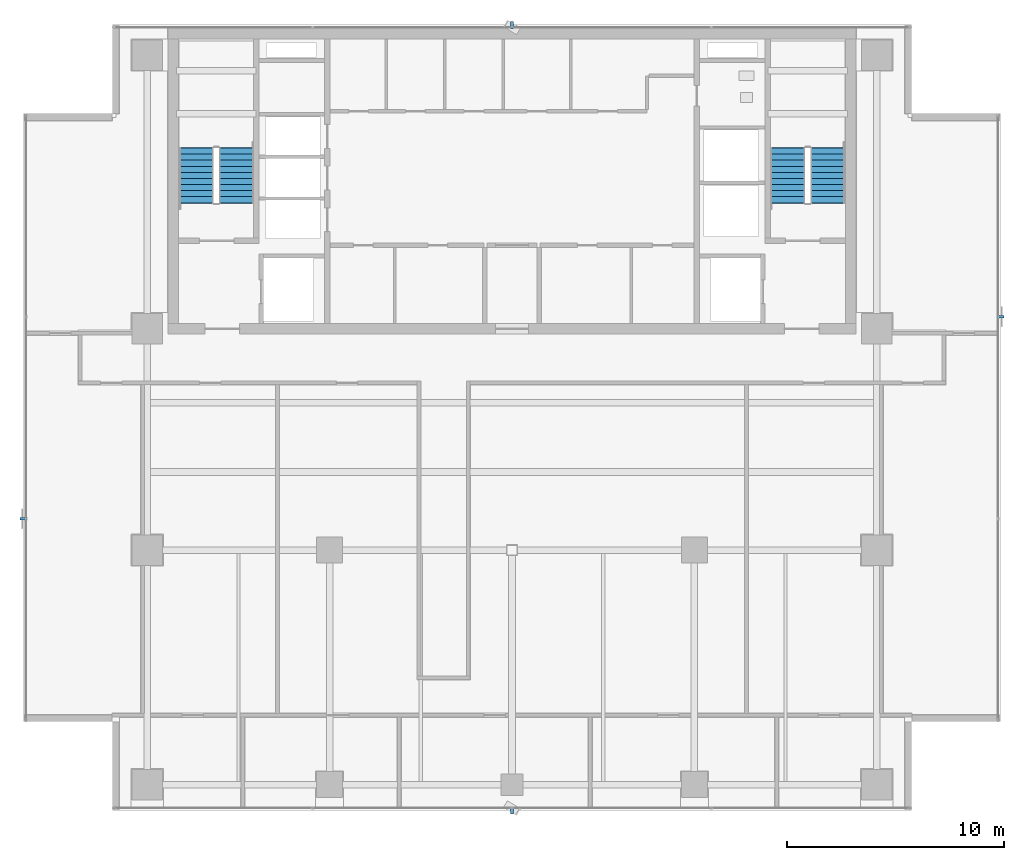
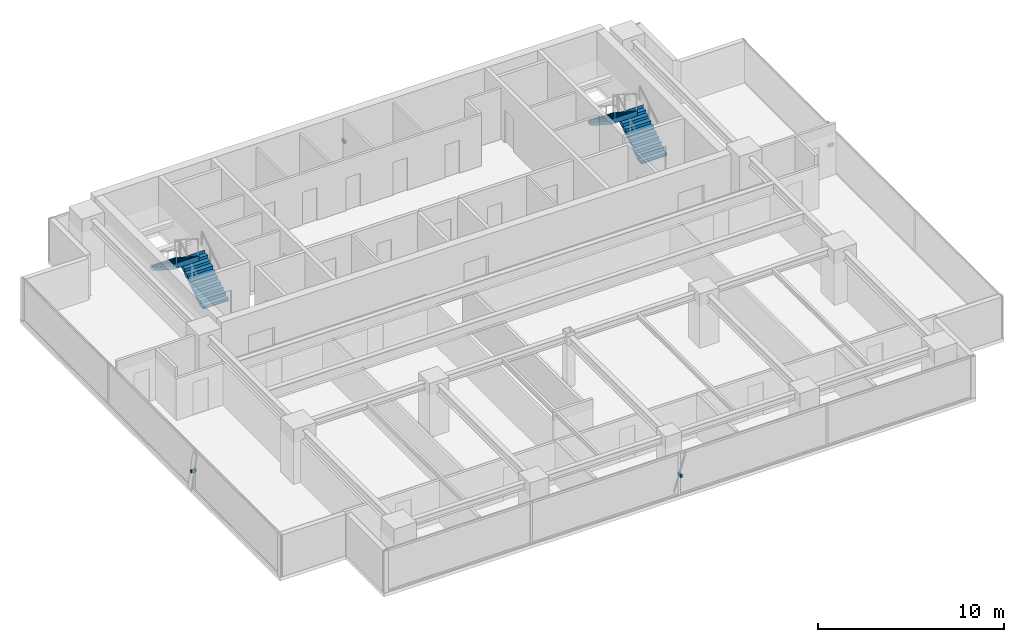
# One storey, part 22 of 26: 4 discrete accessories, 4 stair flights, 2 elements without a shape of their own.
"""IFC4 building model written with IfcOpenShell, lengths in metres."""

from ifc_helpers import new_model, si_unit, direction, frame, origin, origin_2d, place, context, subcontext, project, spatial, polyline, rectangle, outline, extrude, source, transform, mapped, material, material_profile, profile_set, type_object, element, aggregate, save


model = new_model("IFC4")

# Units and contexts
model_context = context("Model", 3, precision=1e-05, world=origin(), true_north=direction((0.0, 1.0)))
body_context = subcontext(model_context, "Body", "Model", "MODEL_VIEW")
ifc_project = project(units=[si_unit("LENGTHUNIT", "METRE"), si_unit("AREAUNIT", "SQUARE_METRE"), si_unit("VOLUMEUNIT", "CUBIC_METRE"), si_unit("PLANEANGLEUNIT", "RADIAN"), si_unit("MASSUNIT", "GRAM", prefix="KILO")], contexts=[model_context])

# Site, building, storey
site_placement = place(None, origin())
site = spatial("IfcSite", under=ifc_project, at=site_placement, CompositionType="ELEMENT")
building_placement = place(site_placement, origin())
building = spatial("IfcBuilding", under=site, at=building_placement, Name="Sumidabori Civic Tower", CompositionType="ELEMENT")
storey_placement = place(building_placement, frame((0.0, 0.0, 261.199951171875)))
storey = spatial("IfcBuildingStorey", under=building, at=storey_placement, Name="L68", CompositionType="ELEMENT", Elevation=261.199951171875)

# Stair, stair flights
ifc_material_1 = material(Name="Concrete C40/50", Category="concrete")
stair_type = type_object("IfcStairType", Name="ST-CORE-1600", PredefinedType="HALF_TURN_STAIR", material=ifc_material_1)
stair_1_placement = place(storey_placement, origin())
stair_1 = element("IfcStair", 1, at=stair_1_placement, inside=storey, type_object=stair_type, Name="L68 ST-1", PredefinedType="HALF_TURN_STAIR")
stair_flight_type = type_object("IfcStairFlightType", Name="SF-CORE-1600", PredefinedType="STRAIGHT", material=ifc_material_1)
shared_shape_1 = source(origin(), body_context, "Body", "SweptSolid", [
    extrude(outline(polyline([(-0.02490234375, 0.0), (-0.02490234375, 0.0400390625), (0.0, 0.0400390625), (0.0, 0.179931640625), (0.280029296875, 0.179931640625), (0.280029296875, 0.360107421875), (0.56005859375, 0.360107421875), (0.56005859375, 0.5400390625), (0.840087890625, 0.5400390625), (0.840087890625, 0.719970703125), (1.1201171875, 0.719970703125), (1.1201171875, 0.89990234375), (1.39990234375, 0.89990234375), (1.39990234375, 1.080078125), (1.679931640625, 1.080078125), (1.679931640625, 1.260009765625), (1.9599609375, 1.260009765625), (1.9599609375, 1.43994140625), (2.239990234375, 1.43994140625), (2.239990234375, 1.6201171875), (2.52001953125, 1.6201171875), (2.52001953125, 1.800048828125), (2.544921875, 1.800048828125), (2.544921875, 1.650146484375), (2.52001953125, 1.44189453125), (0.277099609375, 0.0), (-0.02490234375, 0.0)])), frame((0.0, 0.800048828125, 0.0), z_axis=(0.0, -1.0, 0.0), x_axis=(1.0, 0.0, 0.0)), (0.0, 0.0, 1.0), 1.60009765625),
])
stair_flight_1_placement = place(storey_placement, frame((-12.699951171875, 16.0, 0.0), z_axis=(0.0, 0.0, 1.0), x_axis=(0.0, 1.0, 0.0)))
stair_flight_1 = element("IfcStairFlight", 2, at=stair_flight_1_placement, type_object=stair_flight_type, Name="ST-1 flight 1", NumberOfRisers=10, NumberOfTreads=9, PredefinedType="STRAIGHT", RiserHeight=0.18, TreadLength=0.28, context=body_context, shape_type="MappedRepresentation", body=[
    mapped(shared_shape_1, transform((0.0, 0.0, 0.0), x_axis=(1.0, 0.0, 0.0), y_axis=(0.0, 1.0, 0.0), z_axis=(0.0, 0.0, 1.0), scale=1.0)),
])
stair_flight_2_placement = place(storey_placement, frame((-14.5400390625, 18.52001953125, 1.800048828125), z_axis=(0.0, 0.0, 1.0), x_axis=(0.0, -1.0, 0.0)))
stair_flight_2 = element("IfcStairFlight", 3, at=stair_flight_2_placement, type_object=stair_flight_type, Name="ST-1 flight 2", NumberOfRisers=10, NumberOfTreads=9, PredefinedType="STRAIGHT", RiserHeight=0.18, TreadLength=0.28, context=body_context, shape_type="MappedRepresentation", body=[
    mapped(shared_shape_1, transform((0.0, 0.0, 0.0), x_axis=(1.0, 0.0, 0.0), y_axis=(0.0, 1.0, 0.0), z_axis=(0.0, 0.0, 1.0), scale=1.0)),
])
aggregate(stair_1, [stair_flight_1, stair_flight_2])

stair_2_placement = place(storey_placement, origin())
stair_2 = element("IfcStair", 4, at=stair_2_placement, inside=storey, type_object=stair_type, Name="L68 ST-2", PredefinedType="HALF_TURN_STAIR")
stair_flight_3_placement = place(storey_placement, frame((14.5400390625, 16.0, 0.0), z_axis=(0.0, 0.0, 1.0), x_axis=(0.0, 1.0, 0.0)))
stair_flight_3 = element("IfcStairFlight", 5, at=stair_flight_3_placement, type_object=stair_flight_type, Name="ST-2 flight 1", NumberOfRisers=10, NumberOfTreads=9, PredefinedType="STRAIGHT", RiserHeight=0.18, TreadLength=0.28, context=body_context, shape_type="MappedRepresentation", body=[
    mapped(shared_shape_1, transform((0.0, 0.0, 0.0), x_axis=(1.0, 0.0, 0.0), y_axis=(0.0, 1.0, 0.0), z_axis=(0.0, 0.0, 1.0), scale=1.0)),
])
stair_flight_4_placement = place(storey_placement, frame((12.699951171875, 18.52001953125, 1.800048828125), z_axis=(0.0, 0.0, 1.0), x_axis=(0.0, -1.0, 0.0)))
stair_flight_4 = element("IfcStairFlight", 6, at=stair_flight_4_placement, type_object=stair_flight_type, Name="ST-2 flight 2", NumberOfRisers=10, NumberOfTreads=9, PredefinedType="STRAIGHT", RiserHeight=0.18, TreadLength=0.28, context=body_context, shape_type="MappedRepresentation", body=[
    mapped(shared_shape_1, transform((0.0, 0.0, 0.0), x_axis=(1.0, 0.0, 0.0), y_axis=(0.0, 1.0, 0.0), z_axis=(0.0, 0.0, 1.0), scale=1.0)),
])
aggregate(stair_2, [stair_flight_3, stair_flight_4])

# Discrete accessories
ifc_material_2 = material(Name="Stainless Steel Hairline Finish", Category="steel")
ifc_material_profile = material_profile(ifc_material_2, rectangle(XDim=0.1201171875, YDim=0.179931640625, at=origin_2d()), Name="STEEL BRACKET 180x120")
ifc_profile_set = profile_set([ifc_material_profile], Name="Stainless Steel Hairline Finish")
discrete_accessory_type = type_object("IfcDiscreteAccessoryType", Name="AC-BRK-180", PredefinedType="BRACKET", material=ifc_profile_set)
shared_shape_2 = source(origin(), body_context, "Body", "SweptSolid", [
    extrude(rectangle(XDim=0.1201171875, YDim=0.179931640625, at=origin_2d()), origin(), (0.0, 0.0, 1.0), 0.329833984375),
])
for number, where, z_axis, x_axis, name in (
    (7, (0.0, -11.830078125, 1.364990234375), (0.0, -1.0, 0.0), (1.0, 0.0, 0.0), "Bronze Fin Fixing Bracket L68-02"),
    (8, (22.330078125, 10.756591796875, 1.364990234375), (1.0, 0.0, 0.0), (0.0, 1.0, 0.0), "Bronze Fin Fixing Bracket L68-02"),
    (9, (-22.330078125, 1.443359375, 1.364990234375), (-1.0, 0.0, 0.0), (0.0, -1.0, 0.0), "Bronze Fin Fixing Bracket L68-02"),
):
    element("IfcDiscreteAccessory", number, at=place(storey_placement, frame(where, z_axis=z_axis, x_axis=x_axis)), inside=storey, type_object=discrete_accessory_type, Name=name, PredefinedType="BRACKET", context=body_context, shape_type="MappedRepresentation", body=[
        mapped(shared_shape_2, transform((0.0, 0.0, 0.0), x_axis=(1.0, 0.0, 0.0), y_axis=(0.0, 1.0, 0.0), z_axis=(0.0, 0.0, 1.0), scale=1.0)),
    ])
shared_shape_3 = source(origin(), body_context, "Body", "SweptSolid", [
    extrude(rectangle(XDim=0.1201171875, YDim=0.179931640625, at=origin_2d()), origin(), (0.0, 0.0, 1.0), 0.330078125),
])
discrete_accessory_placement = place(storey_placement, frame((0.0, 24.030029296875, 1.364990234375), z_axis=(0.0, 1.0, 0.0), x_axis=(-1.0, 0.0, 0.0)))
element("IfcDiscreteAccessory", 10, at=discrete_accessory_placement, inside=storey, type_object=discrete_accessory_type, Name="Bronze Fin Fixing Bracket L68-02", PredefinedType="BRACKET", context=body_context, shape_type="MappedRepresentation", body=[
    mapped(shared_shape_3, transform((0.0, 0.0, 0.0), x_axis=(1.0, 0.0, 0.0), y_axis=(0.0, 1.0, 0.0), z_axis=(0.0, 0.0, 1.0), scale=1.0)),
])

save(model, "model.ifc")
